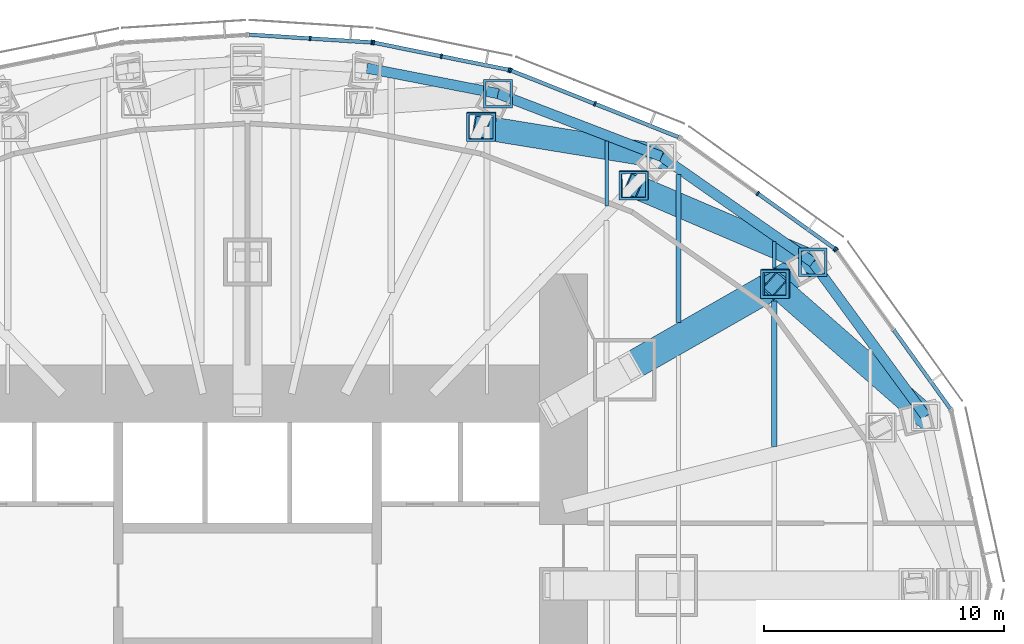
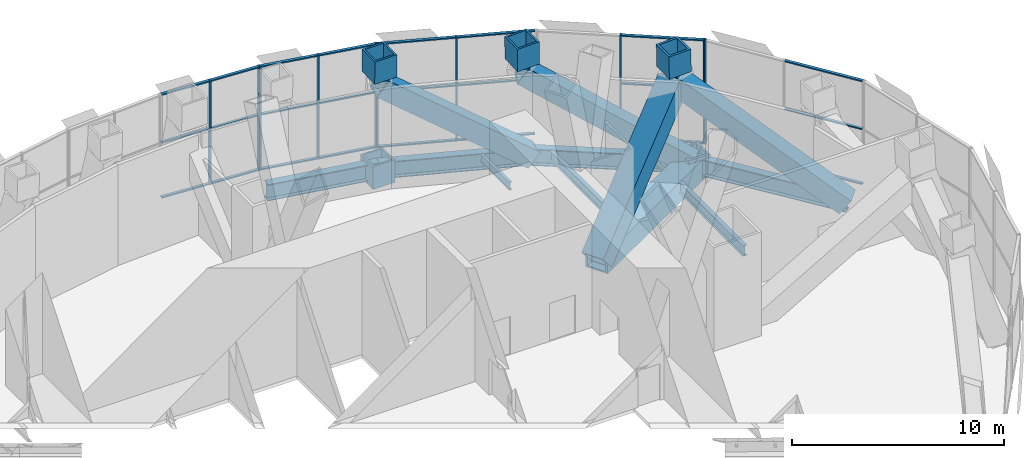
# One storey, part 10 of 21: 43 members, 9 beams, 5 elements without a shape of their own.
"""IFC4 building model written with IfcOpenShell, lengths in metres."""

import ifcopenshell
import ifcopenshell.guid

model = None  # the IFC model being written
_history = None  # IfcOwnerHistory: only IFC2X3 demands one
_inside = {}  # id of a spatial element -> (the spatial element, [elements in it])
_under = {}  # id of a project, library or spatial element -> (it, [spatial elements below it])
_declared = {}  # id of a project -> (the project, [libraries it declares])
_typed = {}  # id of a type object -> (the type object, [elements of that type])
_made_of = {}  # id of a material, layer set ... -> (it, [elements and type objects made of it])


def new_model(schema):
    """Start an empty IFC model of exactly this schema.

    Asked for "IFC4X3", IfcOpenShell would pick the latest addendum, in which some entities
    have other attributes; the version numbers below select the first issue.
    IFC2X3 requires an IfcOwnerHistory on every rooted entity: one is made here for all.
    """
    global model, _history
    if schema == "IFC4X3":
        model = ifcopenshell.file(schema_version=(4, 3, 0, 0))
    else:
        model = ifcopenshell.file(schema=schema)
    _inside.clear()
    _under.clear()
    _declared.clear()
    _typed.clear()
    _made_of.clear()
    _history = None
    if model.schema == "IFC2X3":
        org = make("IfcOrganization", Name="unknown")
        user = make(
            "IfcPersonAndOrganization",
            ThePerson=make("IfcPerson", FamilyName="unknown"),
            TheOrganization=org,
        )
        app = make(
            "IfcApplication",
            ApplicationDeveloper=org,
            Version="unknown",
            ApplicationFullName="unknown",
            ApplicationIdentifier="unknown",
        )
        _history = make(
            "IfcOwnerHistory",
            OwningUser=user,
            OwningApplication=app,
            ChangeAction="ADDED",
            CreationDate=0,
        )
    return model


def make(cls, **values):
    """One entity of the class cls with the attributes given. An attribute that is None is left unset."""
    return model.create_entity(
        cls, **{name: value for name, value in values.items() if value is not None}
    )


def rooted(cls, **values):
    """An entity with a GlobalId (a new one), such as an element, a storey or a relation."""
    return make(cls, GlobalId=ifcopenshell.guid.new(), OwnerHistory=_history, **values)


def si_unit(unit_type, name, prefix=None):
    """IfcSIUnit, for example si_unit("LENGTHUNIT", "METRE", prefix="MILLI")."""
    return make("IfcSIUnit", UnitType=unit_type, Prefix=prefix, Name=name)


def assignment(units):
    """IfcUnitAssignment: the units of a project."""
    return None if units is None else make("IfcUnitAssignment", Units=units)


def point(xyz):
    """IfcCartesianPoint."""
    return None if xyz is None else make("IfcCartesianPoint", Coordinates=xyz)


def direction(xyz):
    """IfcDirection."""
    return None if xyz is None else make("IfcDirection", DirectionRatios=xyz)


def frame(location, z_axis=None, x_axis=None):
    """IfcAxis2Placement3D, a coordinate frame: its origin and axes. An axis left out is left unset."""
    return make(
        "IfcAxis2Placement3D",
        Location=point(location),
        Axis=direction(z_axis),
        RefDirection=direction(x_axis),
    )


def frame_2d(location, x_axis=None):
    """IfcAxis2Placement2D, a coordinate frame in the plane: its origin and x axis."""
    return make(
        "IfcAxis2Placement2D", Location=point(location), RefDirection=direction(x_axis)
    )


def origin():
    """The frame at (0, 0, 0) with its axes left unset."""
    return frame((0.0, 0.0, 0.0))


def origin_2d():
    """The frame at (0, 0) in the plane with its x axis left unset."""
    return frame_2d((0.0, 0.0))


def place(relative_to, where):
    """IfcLocalPlacement: puts the frame where relative to a parent placement (None: the world)."""
    return make(
        "IfcLocalPlacement", PlacementRelTo=relative_to, RelativePlacement=where
    )


def context(
    kind, dimensions, precision=None, world=None, true_north=None, identifier=None
):
    """IfcGeometricRepresentationContext, for example the 3D "Model" context."""
    return make(
        "IfcGeometricRepresentationContext",
        ContextIdentifier=identifier,
        ContextType=kind,
        CoordinateSpaceDimension=dimensions,
        Precision=precision,
        WorldCoordinateSystem=world,
        TrueNorth=true_north,
    )


def subcontext(parent, identifier, kind, view, scale=None):
    """IfcGeometricRepresentationSubContext, for example "Body" below "Model"."""
    return make(
        "IfcGeometricRepresentationSubContext",
        ContextIdentifier=identifier,
        ContextType=kind,
        ParentContext=parent,
        TargetScale=scale,
        TargetView=view,
    )


def project(units=None, contexts=None):
    """IfcProject with its units and contexts."""
    return rooted(
        "IfcProject",
        Name="project",
        RepresentationContexts=contexts,
        UnitsInContext=assignment(units),
    )


def spatial(cls, under=None, at=None, **own):
    """A site, building, storey or space (cls), placed at a placement, below another one or the project."""
    s = rooted(cls, ObjectPlacement=at, **own)
    if under is not None:
        _under.setdefault(under.id(), (under, []))[1].append(s)
    return s


def profile(cls, at=None, kind="AREA", **sizes):
    """A parametric profile (cls). Its sizes go by their IFC names, for example OverallWidth=200.0."""
    return make(cls, ProfileType=kind, Position=at, **sizes)


def rectangle(**sizes):
    """IfcRectangleProfileDef."""
    return profile("IfcRectangleProfileDef", **sizes)


def hollow_rectangle(**sizes):
    """IfcRectangleHollowProfileDef."""
    return profile("IfcRectangleHollowProfileDef", **sizes)


def i_section(**sizes):
    """IfcIShapeProfileDef."""
    return profile("IfcIShapeProfileDef", **sizes)


def extrude(swept, where, along, depth):
    """IfcExtrudedAreaSolid: the profile swept, set in the frame where, extruded along a direction by depth."""
    return make(
        "IfcExtrudedAreaSolid",
        SweptArea=swept,
        Position=where,
        ExtrudedDirection=direction(along),
        Depth=depth,
    )


def shape(context_of_items, identifier, shape_type, items):
    """IfcShapeRepresentation: the items that make up one representation, for example the "Body"."""
    return make(
        "IfcShapeRepresentation",
        ContextOfItems=context_of_items,
        RepresentationIdentifier=identifier,
        RepresentationType=shape_type,
        Items=items,
    )


def material(Name=None, Category=None):
    """IfcMaterial."""
    return make("IfcMaterial", Name=Name, Category=Category)


def material_profile(
    of_material, cross_section, Name=None, Category=None, Priority=None
):
    """IfcMaterialProfile: a cross section and its material."""
    return make(
        "IfcMaterialProfile",
        Name=Name,
        Material=of_material,
        Profile=cross_section,
        Priority=Priority,
        Category=Category,
    )


def profile_set(profiles, Name=None, composite=None):
    """IfcMaterialProfileSet."""
    return make(
        "IfcMaterialProfileSet",
        Name=Name,
        MaterialProfiles=profiles,
        CompositeProfile=composite,
    )


def made_of(thing, what):
    """Note that an element or type object is made of a material, layer set ...; save() writes the relation."""
    if what is not None:
        _made_of.setdefault(what.id(), (what, []))[1].append(thing)
    return thing


def type_object(cls, material=None, **own):
    """A type object (cls), such as IfcWallType, which elements share."""
    return made_of(rooted(cls, **own), material)


def element(
    cls,
    number,
    at=None,
    inside=None,
    cuts=None,
    type_object=None,
    material=None,
    context=None,
    identifier="Body",
    shape_type=None,
    held_by="IfcProductDefinitionShape",
    body=None,
    shapes=None,
    **own,
):
    """One element of the class cls, such as IfcWall. Its Tag is "e" and its number.

    at: its placement. inside: the storey or other place that contains it. cuts: it is an
    opening in that element (IfcRelVoidsElement). A single representation is given by context,
    identifier, shape_type and body (its items); several are given by shapes. held_by: the class
    of the entity that holds the representations. save() writes the other relations.
    """
    e = rooted(cls, Tag="e%d" % number, ObjectPlacement=at, **own)
    if body is not None:
        shapes = [shape(context, identifier, shape_type, body)]
    if shapes is not None:
        e.Representation = make(held_by, Representations=shapes)
    if inside is not None:
        _inside.setdefault(inside.id(), (inside, []))[1].append(e)
    if cuts is not None:
        rooted(
            "IfcRelVoidsElement", RelatingBuildingElement=cuts, RelatedOpeningElement=e
        )
    if type_object is not None:
        _typed.setdefault(type_object.id(), (type_object, []))[1].append(e)
    return made_of(e, material)


def aggregate(whole, parts):
    """IfcRelAggregates: a whole, such as a stair, and the parts it consists of."""
    return rooted("IfcRelAggregates", RelatingObject=whole, RelatedObjects=parts)


def save(model, path):
    """Write the relations noted so far, then the file.

    IfcRelAggregates (storeys below a building ...), IfcRelContainedInSpatialStructure (elements
    in a storey), IfcRelDefinesByType, IfcRelAssociatesMaterial and IfcRelDeclares: one each for
    every whole, place, type object, material and project.
    """
    for whole, parts in _under.values():
        aggregate(whole, parts)
    for where, things in _inside.values():
        rooted(
            "IfcRelContainedInSpatialStructure",
            RelatedElements=things,
            RelatingStructure=where,
        )
    for kind, things in _typed.values():
        rooted("IfcRelDefinesByType", RelatedObjects=things, RelatingType=kind)
    for what, things in _made_of.values():
        rooted("IfcRelAssociatesMaterial", RelatedObjects=things, RelatingMaterial=what)
    for by, libraries in _declared.values():
        rooted("IfcRelDeclares", RelatingContext=by, RelatedDefinitions=libraries)
    model.write(path)


model = new_model("IFC4")

# Units and contexts
model_context = context("Model", 3, precision=1e-05, world=origin(), true_north=direction((0.0, 1.0)))
body_context = subcontext(model_context, "Body", "Model", "MODEL_VIEW")
ifc_project = project(units=[si_unit("LENGTHUNIT", "METRE"), si_unit("AREAUNIT", "SQUARE_METRE"), si_unit("VOLUMEUNIT", "CUBIC_METRE"), si_unit("PLANEANGLEUNIT", "RADIAN"), si_unit("MASSUNIT", "GRAM", prefix="KILO")], contexts=[model_context])

# Site, building, storey
site_placement = place(None, origin())
site = spatial("IfcSite", under=ifc_project, at=site_placement, CompositionType="ELEMENT")
building_placement = place(site_placement, origin())
building = spatial("IfcBuilding", under=site, at=building_placement, Name="Lantaw Convention Tower", CompositionType="ELEMENT")
storey_placement = place(building_placement, frame((0.0, 0.0, 105.39990234375)))
storey = spatial("IfcBuildingStorey", under=building, at=storey_placement, Name="L25", CompositionType="ELEMENT", Elevation=105.39990234375)

# Beams
ifc_material_1 = material(Name="Steel ASTM A992", Category="steel")
ifc_material_profile_1 = material_profile(ifc_material_1, i_section(OverallWidth=0.424072265625, OverallDepth=0.947509765625, WebThickness=0.02392578125, FlangeThickness=0.042724609375, FilletRadius=0.012451171875, at=origin_2d()), Name="W36X302")
ifc_profile_set_1 = profile_set([ifc_material_profile_1], Name="Steel ASTM A992")
beam_type_1 = type_object("IfcBeamType", Name="Beam BC W36X302", PredefinedType="SPANDREL", material=ifc_profile_set_1)
beam_1_placement = place(storey_placement, frame((28.31787109375, 7.060302734375, -0.673583984375), z_axis=(-0.591270709086, 0.806473154281, 0.0), x_axis=(-0.806473154281, -0.591270709086, 0.0)))
element("IfcBeam", 1, at=beam_1_placement, inside=storey, type_object=beam_type_1, Name="Belt truss chord 2", PredefinedType="SPANDREL", context=body_context, shape_type="SweptSolid", body=[
    extrude(i_section(OverallWidth=0.424072265625, OverallDepth=0.947509765625, WebThickness=0.02392578125, FlangeThickness=0.042724609375, FilletRadius=0.012451171875, at=origin_2d()), origin(), (0.0, 0.0, 1.0), 7.970703125),
])
beam_2_placement = place(storey_placement, frame((23.60498046875, 13.488525390625, -0.673583984375), z_axis=(-0.81942686407, 0.57318375277, 0.0), x_axis=(-0.57318375277, -0.81942686407, 0.0)))
element("IfcBeam", 2, at=beam_2_placement, inside=storey, type_object=beam_type_1, Name="Belt truss chord 3", PredefinedType="SPANDREL", context=body_context, shape_type="SweptSolid", body=[
    extrude(i_section(OverallWidth=0.424072265625, OverallDepth=0.947509765625, WebThickness=0.02392578125, FlangeThickness=0.042724609375, FilletRadius=0.012451171875, at=origin_2d()), origin(), (0.0, 0.0, 1.0), 7.70556640625),
])
beam_3_placement = place(storey_placement, frame((17.290771484375, 17.9052734375, -0.673583984375), z_axis=(-0.933232900641, 0.359271976588, 0.0), x_axis=(-0.359271976588, -0.933232900641, 0.0)))
element("IfcBeam", 3, at=beam_3_placement, inside=storey, type_object=beam_type_1, Name="Belt truss chord 4", PredefinedType="SPANDREL", context=body_context, shape_type="SweptSolid", body=[
    extrude(i_section(OverallWidth=0.424072265625, OverallDepth=0.947509765625, WebThickness=0.02392578125, FlangeThickness=0.042724609375, FilletRadius=0.012451171875, at=origin_2d()), origin(), (0.0, 0.0, 1.0), 7.316650390625),
])
beam_4_placement = place(storey_placement, frame((10.462646484375, 20.533935546875, -0.673583984375), z_axis=(-0.981636565323, 0.190760723474, 0.0), x_axis=(-0.190760723474, -0.981636565323, 0.0)))
element("IfcBeam", 4, at=beam_4_placement, inside=storey, type_object=beam_type_1, Name="Belt truss chord 5", PredefinedType="SPANDREL", context=body_context, shape_type="SweptSolid", body=[
    extrude(i_section(OverallWidth=0.424072265625, OverallDepth=0.947509765625, WebThickness=0.02392578125, FlangeThickness=0.042724609375, FilletRadius=0.012451171875, at=origin_2d()), origin(), (0.0, 0.0, 1.0), 5.578857421875),
])
ifc_material_2 = material(Name="Steel EN 10025-3 S460N", Category="steel")
ifc_material_profile_2 = material_profile(ifc_material_2, hollow_rectangle(XDim=1.199951171875, YDim=1.199951171875, WallThickness=0.10009765625, at=origin_2d()), Name="BOX1200X100")
ifc_profile_set_2 = profile_set([ifc_material_profile_2], Name="Steel EN 10025-3 S460N")
beam_type_2 = type_object("IfcBeamType", Name="Beam G BOX1200X100", PredefinedType="BEAM", material=ifc_profile_set_2)
beam_5_placement = place(storey_placement, frame((15.75, 9.0, -0.7998046875), z_axis=(0.868244802791, 0.496136032179, 0.0), x_axis=(-0.496136032179, 0.868244802791, 0.0)))
element("IfcBeam", 5, at=beam_5_placement, inside=storey, type_object=beam_type_2, Name="Floor girder on ray 3", PredefinedType="BEAM", context=body_context, shape_type="SweptSolid", body=[
    extrude(hollow_rectangle(XDim=1.199951171875, YDim=1.199951171875, WallThickness=0.10009765625, at=origin_2d()), origin(), (0.0, 0.0, 1.0), 9.046875),
])
ifc_material_profile_3 = material_profile(ifc_material_1, i_section(OverallWidth=0.140380859375, OverallDepth=0.40380859375, WebThickness=0.007080078125, FlangeThickness=0.01123046875, FilletRadius=0.01025390625, at=origin_2d()), Name="W16X31")
ifc_profile_set_3 = profile_set([ifc_material_profile_3], Name="Steel ASTM A992")
beam_type_3 = type_object("IfcBeamType", Name="Beam J W16X31", PredefinedType="JOIST", material=ifc_profile_set_3)
beam_6_placement = place(storey_placement, frame((22.0, 13.262451171875, -0.40185546875), z_axis=(0.0, 1.0, 0.0), x_axis=(-1.0, 0.0, 0.0)))
element("IfcBeam", 6, at=beam_6_placement, inside=storey, type_object=beam_type_3, Name="Floor joist", PredefinedType="JOIST", context=body_context, shape_type="SweptSolid", body=[
    extrude(i_section(OverallWidth=0.140380859375, OverallDepth=0.40380859375, WebThickness=0.007080078125, FlangeThickness=0.01123046875, FilletRadius=0.01025390625, at=origin_2d()), origin(), (0.0, 0.0, 1.0), 1.08984375),
])
ifc_material_profile_4 = material_profile(ifc_material_1, i_section(OverallWidth=0.15234375, OverallDepth=0.449462890625, WebThickness=0.007568359375, FlangeThickness=0.0107421875, FilletRadius=0.01025390625, at=origin_2d()), Name="W18X35")
ifc_profile_set_4 = profile_set([ifc_material_profile_4], Name="Steel ASTM A992")
beam_type_4 = type_object("IfcBeamType", Name="Beam J W18X35", PredefinedType="JOIST", material=ifc_profile_set_4)
beam_7_placement = place(storey_placement, frame((15.0, 15.83642578125, -0.4248046875), z_axis=(0.0, 1.0, 0.0), x_axis=(-1.0, 0.0, 0.0)))
element("IfcBeam", 7, at=beam_7_placement, inside=storey, type_object=beam_type_4, Name="Floor joist", PredefinedType="JOIST", context=body_context, shape_type="SweptSolid", body=[
    extrude(i_section(OverallWidth=0.15234375, OverallDepth=0.449462890625, WebThickness=0.007568359375, FlangeThickness=0.0107421875, FilletRadius=0.01025390625, at=origin_2d()), origin(), (0.0, 0.0, 1.0), 2.723388671875),
])
ifc_material_profile_5 = material_profile(ifc_material_1, i_section(OverallWidth=0.209228515625, OverallDepth=0.533447265625, WebThickness=0.01025390625, FlangeThickness=0.015625, FilletRadius=0.012939453125, at=origin_2d()), Name="W21X62")
ifc_profile_set_5 = profile_set([ifc_material_profile_5], Name="Steel ASTM A992")
beam_type_5 = type_object("IfcBeamType", Name="Beam J W21X62", PredefinedType="JOIST", material=ifc_profile_set_5)
beam_8_placement = place(storey_placement, frame((18.0, 10.976806640625, -0.466552734375), z_axis=(0.0, 1.0, 0.0), x_axis=(-1.0, 0.0, 0.0)))
element("IfcBeam", 8, at=beam_8_placement, inside=storey, type_object=beam_type_5, Name="Floor joist", PredefinedType="JOIST", context=body_context, shape_type="SweptSolid", body=[
    extrude(i_section(OverallWidth=0.209228515625, OverallDepth=0.533447265625, WebThickness=0.01025390625, FlangeThickness=0.015625, FilletRadius=0.012939453125, at=origin_2d()), origin(), (0.0, 0.0, 1.0), 6.173583984375),
])
ifc_material_profile_6 = material_profile(ifc_material_1, i_section(OverallWidth=0.227783203125, OverallDepth=0.60205078125, WebThickness=0.010498046875, FlangeThickness=0.014892578125, FilletRadius=0.012939453125, at=origin_2d()), Name="W24X68")
ifc_profile_set_6 = profile_set([ifc_material_profile_6], Name="Steel ASTM A992")
beam_type_6 = type_object("IfcBeamType", Name="Beam J W24X68", PredefinedType="JOIST", material=ifc_profile_set_6)
beam_9_placement = place(storey_placement, frame((22.0, 5.79443359375, -0.5009765625), z_axis=(0.0, 1.0, 0.0), x_axis=(-1.0, 0.0, 0.0)))
element("IfcBeam", 9, at=beam_9_placement, inside=storey, type_object=beam_type_6, Name="Floor joist", PredefinedType="JOIST", context=body_context, shape_type="SweptSolid", body=[
    extrude(i_section(OverallWidth=0.227783203125, OverallDepth=0.60205078125, WebThickness=0.010498046875, FlangeThickness=0.014892578125, FilletRadius=0.012939453125, at=origin_2d()), origin(), (0.0, 0.0, 1.0), 6.0859375),
])

# Curtain wall, member
ifc_material_3 = material(Name="Aluminium framed curtain wall", Category="aluminium")
curtain_wall_type = type_object("IfcCurtainWallType", Name="Plant floor louvre wall, pale aluminium", PredefinedType="USERDEFINED", material=ifc_material_3)
curtain_wall_1_placement = place(storey_placement, origin())
curtain_wall_1 = element("IfcCurtainWall", 10, at=curtain_wall_1_placement, inside=storey, type_object=curtain_wall_type, Name="Plant floor louvre wall, pale aluminium L25", ObjectType="LOUVRE WALL", PredefinedType="USERDEFINED")
ifc_material_4 = material(Name="Aluminium 6063-T6", Category="aluminium")
ifc_material_profile_7 = material_profile(ifc_material_4, rectangle(XDim=0.199951171875, YDim=0.070068359375, at=origin_2d()), Name="CW-LV mullion 70x200")
ifc_profile_set_7 = profile_set([ifc_material_profile_7], Name="Aluminium 6063-T6")
member_type_1 = type_object("IfcMemberType", Name="CW-LV mullion 70x200", PredefinedType="MULLION", material=ifc_profile_set_7)
member_1_placement = place(storey_placement, frame((24.580322265625, 14.005859375, -0.199951171875), z_axis=(0.0, 0.0, 1.0), x_axis=(-0.811788726895, -0.583951250436, 0.0)))
member_1 = element("IfcMember", 11, at=member_1_placement, type_object=member_type_1, Name="CW-LV mullion 3", PredefinedType="MULLION", context=body_context, shape_type="SweptSolid", body=[
    extrude(rectangle(XDim=0.199951171875, YDim=0.070068359375, at=origin_2d()), origin(), (0.0, 0.0, 1.0), 6.0),
])

# Curtain wall, members
curtain_wall_2_placement = place(storey_placement, origin())
curtain_wall_2 = element("IfcCurtainWall", 12, at=curtain_wall_2_placement, inside=storey, type_object=curtain_wall_type, Name="Plant floor louvre wall, pale aluminium L25", ObjectType="LOUVRE WALL", PredefinedType="USERDEFINED")
member_2_placement = place(storey_placement, frame((24.531494140625, 14.0546875, -0.199951171875), z_axis=(0.0, 0.0, 1.0), x_axis=(-0.5825376308, -0.812803733199, 0.0)))
member_2 = element("IfcMember", 13, at=member_2_placement, type_object=member_type_1, Name="CW-LV mullion 1", PredefinedType="MULLION", context=body_context, shape_type="SweptSolid", body=[
    extrude(rectangle(XDim=0.199951171875, YDim=0.070068359375, at=origin_2d()), origin(), (0.0, 0.0, 1.0), 6.0),
])
member_3_placement = place(storey_placement, frame((21.307373046875, 16.365478515625, -0.199951171875), z_axis=(0.0, 0.0, 1.0), x_axis=(-0.5825376308, -0.812803733199, 0.0)))
member_3 = element("IfcMember", 14, at=member_3_placement, type_object=member_type_1, Name="CW-LV mullion 2", PredefinedType="MULLION", context=body_context, shape_type="SweptSolid", body=[
    extrude(rectangle(XDim=0.199951171875, YDim=0.070068359375, at=origin_2d()), origin(), (0.0, 0.0, 1.0), 6.0),
])

curtain_wall_3_placement = place(storey_placement, origin())
curtain_wall_3 = element("IfcCurtainWall", 15, at=curtain_wall_3_placement, inside=storey, type_object=curtain_wall_type, Name="Plant floor louvre wall, pale aluminium L25", ObjectType="LOUVRE WALL", PredefinedType="USERDEFINED")
member_4_placement = place(storey_placement, frame((14.508544921875, 20.105224609375, -0.199951171875), z_axis=(0.0, 0.0, 1.0), x_axis=(-0.369171840425, -0.929361152748, 0.0)))
member_4 = element("IfcMember", 16, at=member_4_placement, type_object=member_type_1, Name="CW-LV mullion 2", PredefinedType="MULLION", context=body_context, shape_type="SweptSolid", body=[
    extrude(rectangle(XDim=0.199951171875, YDim=0.070068359375, at=origin_2d()), origin(), (0.0, 0.0, 1.0), 6.0),
])
member_5_placement = place(storey_placement, frame((10.994384765625, 21.501220703125, -0.199951171875), z_axis=(0.0, 0.0, 1.0), x_axis=(-0.369171840425, -0.929361152748, 0.0)))
member_5 = element("IfcMember", 17, at=member_5_placement, type_object=member_type_1, Name="CW-LV mullion 3", PredefinedType="MULLION", context=body_context, shape_type="SweptSolid", body=[
    extrude(rectangle(XDim=0.199951171875, YDim=0.070068359375, at=origin_2d()), origin(), (0.0, 0.0, 1.0), 6.0),
])

curtain_wall_4_placement = place(storey_placement, origin())
curtain_wall_4 = element("IfcCurtainWall", 18, at=curtain_wall_4_placement, inside=storey, type_object=curtain_wall_type, Name="Plant floor louvre wall, pale aluminium L25", ObjectType="LOUVRE WALL", PredefinedType="USERDEFINED")
member_6_placement = place(storey_placement, frame((10.927734375, 21.52099609375, -0.199951171875), z_axis=(0.0, 0.0, 1.0), x_axis=(-0.197789067813, -0.980244604501, 0.0)))
member_6 = element("IfcMember", 19, at=member_6_placement, type_object=member_type_1, Name="CW-LV mullion 1", PredefinedType="MULLION", context=body_context, shape_type="SweptSolid", body=[
    extrude(rectangle(XDim=0.199951171875, YDim=0.070068359375, at=origin_2d()), origin(), (0.0, 0.0, 1.0), 6.0),
])
member_7_placement = place(storey_placement, frame((8.097900390625, 22.092041015625, -0.199951171875), z_axis=(0.0, 0.0, 1.0), x_axis=(-0.197789067813, -0.980244604501, 0.0)))
member_7 = element("IfcMember", 20, at=member_7_placement, type_object=member_type_1, Name="CW-LV mullion 2", PredefinedType="MULLION", context=body_context, shape_type="SweptSolid", body=[
    extrude(rectangle(XDim=0.199951171875, YDim=0.070068359375, at=origin_2d()), origin(), (0.0, 0.0, 1.0), 6.0),
])
member_8_placement = place(storey_placement, frame((5.26806640625, 22.662841796875, -0.199951171875), z_axis=(0.0, 0.0, 1.0), x_axis=(-0.197789067813, -0.980244604501, 0.0)))
member_8 = element("IfcMember", 21, at=member_8_placement, type_object=member_type_1, Name="CW-LV mullion 3", PredefinedType="MULLION", context=body_context, shape_type="SweptSolid", body=[
    extrude(rectangle(XDim=0.199951171875, YDim=0.070068359375, at=origin_2d()), origin(), (0.0, 0.0, 1.0), 6.0),
])

curtain_wall_5_placement = place(storey_placement, origin())
curtain_wall_5 = element("IfcCurtainWall", 22, at=curtain_wall_5_placement, inside=storey, type_object=curtain_wall_type, Name="Plant floor louvre wall, pale aluminium L25", ObjectType="LOUVRE WALL", PredefinedType="USERDEFINED")
member_9_placement = place(storey_placement, frame((5.19873046875, 22.672119140625, -0.199951171875), z_axis=(0.0, 0.0, 1.0), x_axis=(-0.062958373078, -0.998016153807, 0.0)))
member_9 = element("IfcMember", 23, at=member_9_placement, type_object=member_type_1, Name="CW-LV mullion 1", PredefinedType="MULLION", context=body_context, shape_type="SweptSolid", body=[
    extrude(rectangle(XDim=0.199951171875, YDim=0.070068359375, at=origin_2d()), origin(), (0.0, 0.0, 1.0), 6.0),
])
member_10_placement = place(storey_placement, frame((2.616943359375, 22.8349609375, -0.199951171875), z_axis=(0.0, 0.0, 1.0), x_axis=(-0.062958373078, -0.998016153807, 0.0)))
member_10 = element("IfcMember", 24, at=member_10_placement, type_object=member_type_1, Name="CW-LV mullion 2", PredefinedType="MULLION", context=body_context, shape_type="SweptSolid", body=[
    extrude(rectangle(XDim=0.199951171875, YDim=0.070068359375, at=origin_2d()), origin(), (0.0, 0.0, 1.0), 6.0),
])

# Member
ifc_material_profile_8 = material_profile(ifc_material_4, rectangle(XDim=0.159912109375, YDim=0.070068359375, at=origin_2d()), Name="CW-LV transom 70x160")
ifc_profile_set_8 = profile_set([ifc_material_profile_8], Name="Aluminium 6063-T6")
member_type_2 = type_object("IfcMemberType", Name="CW-LV transom 70x160", PredefinedType="USERDEFINED", material=ifc_profile_set_8)
member_11_placement = place(storey_placement, frame((29.34423828125, 7.38330078125, -0.164794921875), z_axis=(-0.583942092364, 0.811795314574, 0.0), x_axis=(-0.811795314574, -0.583942092364, 0.0)))
member_11 = element("IfcMember", 25, at=member_11_placement, type_object=member_type_2, Name="CW-LV transom 1.1", ObjectType="TRANSOM", PredefinedType="USERDEFINED", context=body_context, shape_type="SweptSolid", body=[
    extrude(rectangle(XDim=0.159912109375, YDim=0.070068359375, at=origin_2d()), origin(), (0.0, 0.0, 1.0), 4.026611328125),
])

member_12_placement = place(storey_placement, frame((29.34423828125, 7.38330078125, 3.0), z_axis=(-0.583942092364, 0.811795314574, 0.0), x_axis=(-0.811795314574, -0.583942092364, 0.0)))
member_12 = element("IfcMember", 26, at=member_12_placement, type_object=member_type_2, Name="CW-LV transom 1.2", ObjectType="TRANSOM", PredefinedType="USERDEFINED", context=body_context, shape_type="SweptSolid", body=[
    extrude(rectangle(XDim=0.159912109375, YDim=0.070068359375, at=origin_2d()), origin(), (0.0, 0.0, 1.0), 4.026611328125),
])

member_13_placement = place(storey_placement, frame((29.34423828125, 7.38330078125, 5.76513671875), z_axis=(-0.583942092364, 0.811795314574, 0.0), x_axis=(-0.811795314574, -0.583942092364, 0.0)))
member_13 = element("IfcMember", 27, at=member_13_placement, type_object=member_type_2, Name="CW-LV transom 1.3", ObjectType="TRANSOM", PredefinedType="USERDEFINED", context=body_context, shape_type="SweptSolid", body=[
    extrude(rectangle(XDim=0.159912109375, YDim=0.070068359375, at=origin_2d()), origin(), (0.0, 0.0, 1.0), 4.026611328125),
])

aggregate(curtain_wall_1, [member_1, member_11, member_12, member_13])

member_14_placement = place(storey_placement, frame((24.503173828125, 14.074951171875, -0.164794921875), z_axis=(-0.812796855992, 0.582547226317, 0.0), x_axis=(-0.582547226317, -0.812796855992, 0.0)))
member_14 = element("IfcMember", 28, at=member_14_placement, type_object=member_type_2, Name="CW-LV transom 1.1", ObjectType="TRANSOM", PredefinedType="USERDEFINED", context=body_context, shape_type="SweptSolid", body=[
    extrude(rectangle(XDim=0.159912109375, YDim=0.070068359375, at=origin_2d()), origin(), (0.0, 0.0, 1.0), 3.896728515625),
])

member_15_placement = place(storey_placement, frame((24.503173828125, 14.074951171875, 3.0), z_axis=(-0.812796855992, 0.582547226317, 0.0), x_axis=(-0.582547226317, -0.812796855992, 0.0)))
member_15 = element("IfcMember", 29, at=member_15_placement, type_object=member_type_2, Name="CW-LV transom 1.2", ObjectType="TRANSOM", PredefinedType="USERDEFINED", context=body_context, shape_type="SweptSolid", body=[
    extrude(rectangle(XDim=0.159912109375, YDim=0.070068359375, at=origin_2d()), origin(), (0.0, 0.0, 1.0), 3.896728515625),
])

member_16_placement = place(storey_placement, frame((24.503173828125, 14.074951171875, 5.76513671875), z_axis=(-0.812796855992, 0.582547226317, 0.0), x_axis=(-0.582547226317, -0.812796855992, 0.0)))
member_16 = element("IfcMember", 30, at=member_16_placement, type_object=member_type_2, Name="CW-LV transom 1.3", ObjectType="TRANSOM", PredefinedType="USERDEFINED", context=body_context, shape_type="SweptSolid", body=[
    extrude(rectangle(XDim=0.159912109375, YDim=0.070068359375, at=origin_2d()), origin(), (0.0, 0.0, 1.0), 3.896728515625),
])

aggregate(curtain_wall_2, [member_2, member_3, member_14, member_15, member_16])

member_17_placement = place(storey_placement, frame((17.989990234375, 18.722412109375, -0.164794921875), z_axis=(-0.929376820828, 0.369132394823, 0.0), x_axis=(-0.369132394823, -0.929376820828, 0.0)))
member_17 = element("IfcMember", 31, at=member_17_placement, type_object=member_type_2, Name="CW-LV transom 1.1", ObjectType="TRANSOM", PredefinedType="USERDEFINED", context=body_context, shape_type="SweptSolid", body=[
    extrude(rectangle(XDim=0.159912109375, YDim=0.070068359375, at=origin_2d()), origin(), (0.0, 0.0, 1.0), 3.711181640625),
])

member_18_placement = place(storey_placement, frame((17.989990234375, 18.722412109375, 3.0), z_axis=(-0.929376820828, 0.369132394823, 0.0), x_axis=(-0.369132394823, -0.929376820828, 0.0)))
member_18 = element("IfcMember", 32, at=member_18_placement, type_object=member_type_2, Name="CW-LV transom 1.2", ObjectType="TRANSOM", PredefinedType="USERDEFINED", context=body_context, shape_type="SweptSolid", body=[
    extrude(rectangle(XDim=0.159912109375, YDim=0.070068359375, at=origin_2d()), origin(), (0.0, 0.0, 1.0), 3.711181640625),
])

member_19_placement = place(storey_placement, frame((17.989990234375, 18.722412109375, 5.76513671875), z_axis=(-0.929376820828, 0.369132394823, 0.0), x_axis=(-0.369132394823, -0.929376820828, 0.0)))
member_19 = element("IfcMember", 33, at=member_19_placement, type_object=member_type_2, Name="CW-LV transom 1.3", ObjectType="TRANSOM", PredefinedType="USERDEFINED", context=body_context, shape_type="SweptSolid", body=[
    extrude(rectangle(XDim=0.159912109375, YDim=0.070068359375, at=origin_2d()), origin(), (0.0, 0.0, 1.0), 3.711181640625),
])

member_20_placement = place(storey_placement, frame((14.475830078125, 20.1181640625, -0.164794921875), z_axis=(-0.929345282999, 0.369211788772, 0.0), x_axis=(-0.369211788772, -0.929345282999, 0.0)))
member_20 = element("IfcMember", 34, at=member_20_placement, type_object=member_type_2, Name="CW-LV transom 2.1", ObjectType="TRANSOM", PredefinedType="USERDEFINED", context=body_context, shape_type="SweptSolid", body=[
    extrude(rectangle(XDim=0.159912109375, YDim=0.070068359375, at=origin_2d()), origin(), (0.0, 0.0, 1.0), 3.7109375),
])

member_21_placement = place(storey_placement, frame((14.475830078125, 20.1181640625, 3.0), z_axis=(-0.929345282999, 0.369211788772, 0.0), x_axis=(-0.369211788772, -0.929345282999, 0.0)))
member_21 = element("IfcMember", 35, at=member_21_placement, type_object=member_type_2, Name="CW-LV transom 2.2", ObjectType="TRANSOM", PredefinedType="USERDEFINED", context=body_context, shape_type="SweptSolid", body=[
    extrude(rectangle(XDim=0.159912109375, YDim=0.070068359375, at=origin_2d()), origin(), (0.0, 0.0, 1.0), 3.7109375),
])

member_22_placement = place(storey_placement, frame((14.475830078125, 20.1181640625, 5.76513671875), z_axis=(-0.929345282999, 0.369211788772, 0.0), x_axis=(-0.369211788772, -0.929345282999, 0.0)))
member_22 = element("IfcMember", 36, at=member_22_placement, type_object=member_type_2, Name="CW-LV transom 2.3", ObjectType="TRANSOM", PredefinedType="USERDEFINED", context=body_context, shape_type="SweptSolid", body=[
    extrude(rectangle(XDim=0.159912109375, YDim=0.070068359375, at=origin_2d()), origin(), (0.0, 0.0, 1.0), 3.7109375),
])

aggregate(curtain_wall_3, [member_4, member_5, member_17, member_18, member_19, member_20, member_21, member_22])

member_23_placement = place(storey_placement, frame((10.893310546875, 21.52783203125, -0.164794921875), z_axis=(-0.980245910217, 0.197782596562, 0.0), x_axis=(-0.197782596562, -0.980245910217, 0.0)))
member_23 = element("IfcMember", 37, at=member_23_placement, type_object=member_type_2, Name="CW-LV transom 1.1", ObjectType="TRANSOM", PredefinedType="USERDEFINED", context=body_context, shape_type="SweptSolid", body=[
    extrude(rectangle(XDim=0.159912109375, YDim=0.070068359375, at=origin_2d()), origin(), (0.0, 0.0, 1.0), 2.81689453125),
])

member_24_placement = place(storey_placement, frame((10.893310546875, 21.52783203125, 3.0), z_axis=(-0.980245910217, 0.197782596562, 0.0), x_axis=(-0.197782596562, -0.980245910217, 0.0)))
member_24 = element("IfcMember", 38, at=member_24_placement, type_object=member_type_2, Name="CW-LV transom 1.2", ObjectType="TRANSOM", PredefinedType="USERDEFINED", context=body_context, shape_type="SweptSolid", body=[
    extrude(rectangle(XDim=0.159912109375, YDim=0.070068359375, at=origin_2d()), origin(), (0.0, 0.0, 1.0), 2.81689453125),
])

member_25_placement = place(storey_placement, frame((10.893310546875, 21.52783203125, 5.76513671875), z_axis=(-0.980245910217, 0.197782596562, 0.0), x_axis=(-0.197782596562, -0.980245910217, 0.0)))
member_25 = element("IfcMember", 39, at=member_25_placement, type_object=member_type_2, Name="CW-LV transom 1.3", ObjectType="TRANSOM", PredefinedType="USERDEFINED", context=body_context, shape_type="SweptSolid", body=[
    extrude(rectangle(XDim=0.159912109375, YDim=0.070068359375, at=origin_2d()), origin(), (0.0, 0.0, 1.0), 2.81689453125),
])

member_26_placement = place(storey_placement, frame((8.0634765625, 22.098876953125, -0.164794921875), z_axis=(-0.980245910217, 0.197782596562, 0.0), x_axis=(-0.197782596562, -0.980245910217, 0.0)))
member_26 = element("IfcMember", 40, at=member_26_placement, type_object=member_type_2, Name="CW-LV transom 2.1", ObjectType="TRANSOM", PredefinedType="USERDEFINED", context=body_context, shape_type="SweptSolid", body=[
    extrude(rectangle(XDim=0.159912109375, YDim=0.070068359375, at=origin_2d()), origin(), (0.0, 0.0, 1.0), 2.81689453125),
])

member_27_placement = place(storey_placement, frame((8.0634765625, 22.098876953125, 3.0), z_axis=(-0.980245910217, 0.197782596562, 0.0), x_axis=(-0.197782596562, -0.980245910217, 0.0)))
member_27 = element("IfcMember", 41, at=member_27_placement, type_object=member_type_2, Name="CW-LV transom 2.2", ObjectType="TRANSOM", PredefinedType="USERDEFINED", context=body_context, shape_type="SweptSolid", body=[
    extrude(rectangle(XDim=0.159912109375, YDim=0.070068359375, at=origin_2d()), origin(), (0.0, 0.0, 1.0), 2.81689453125),
])

member_28_placement = place(storey_placement, frame((8.0634765625, 22.098876953125, 5.76513671875), z_axis=(-0.980245910217, 0.197782596562, 0.0), x_axis=(-0.197782596562, -0.980245910217, 0.0)))
member_28 = element("IfcMember", 42, at=member_28_placement, type_object=member_type_2, Name="CW-LV transom 2.3", ObjectType="TRANSOM", PredefinedType="USERDEFINED", context=body_context, shape_type="SweptSolid", body=[
    extrude(rectangle(XDim=0.159912109375, YDim=0.070068359375, at=origin_2d()), origin(), (0.0, 0.0, 1.0), 2.81689453125),
])

aggregate(curtain_wall_4, [member_6, member_7, member_8, member_23, member_24, member_25, member_26, member_27, member_28])

member_29_placement = place(storey_placement, frame((5.163818359375, 22.67431640625, -0.164794921875), z_axis=(-0.998016558163, 0.062951962897, 0.0), x_axis=(-0.062951962897, -0.998016558163, 0.0)))
member_29 = element("IfcMember", 43, at=member_29_placement, type_object=member_type_2, Name="CW-LV transom 1.1", ObjectType="TRANSOM", PredefinedType="USERDEFINED", context=body_context, shape_type="SweptSolid", body=[
    extrude(rectangle(XDim=0.159912109375, YDim=0.070068359375, at=origin_2d()), origin(), (0.0, 0.0, 1.0), 2.516845703125),
])

member_30_placement = place(storey_placement, frame((5.163818359375, 22.67431640625, 3.0), z_axis=(-0.998016558163, 0.062951962897, 0.0), x_axis=(-0.062951962897, -0.998016558163, 0.0)))
member_30 = element("IfcMember", 44, at=member_30_placement, type_object=member_type_2, Name="CW-LV transom 1.2", ObjectType="TRANSOM", PredefinedType="USERDEFINED", context=body_context, shape_type="SweptSolid", body=[
    extrude(rectangle(XDim=0.159912109375, YDim=0.070068359375, at=origin_2d()), origin(), (0.0, 0.0, 1.0), 2.516845703125),
])

member_31_placement = place(storey_placement, frame((5.163818359375, 22.67431640625, 5.76513671875), z_axis=(-0.998016558163, 0.062951962897, 0.0), x_axis=(-0.062951962897, -0.998016558163, 0.0)))
member_31 = element("IfcMember", 45, at=member_31_placement, type_object=member_type_2, Name="CW-LV transom 1.3", ObjectType="TRANSOM", PredefinedType="USERDEFINED", context=body_context, shape_type="SweptSolid", body=[
    extrude(rectangle(XDim=0.159912109375, YDim=0.070068359375, at=origin_2d()), origin(), (0.0, 0.0, 1.0), 2.516845703125),
])

member_32_placement = place(storey_placement, frame((2.58203125, 22.837158203125, -0.164794921875), z_axis=(-0.998016942507, 0.062945869357, 0.0), x_axis=(-0.062945869357, -0.998016942507, 0.0)))
member_32 = element("IfcMember", 46, at=member_32_placement, type_object=member_type_2, Name="CW-LV transom 2.1", ObjectType="TRANSOM", PredefinedType="USERDEFINED", context=body_context, shape_type="SweptSolid", body=[
    extrude(rectangle(XDim=0.159912109375, YDim=0.070068359375, at=origin_2d()), origin(), (0.0, 0.0, 1.0), 2.51708984375),
])

member_33_placement = place(storey_placement, frame((2.58203125, 22.837158203125, 3.0), z_axis=(-0.998016942507, 0.062945869357, 0.0), x_axis=(-0.062945869357, -0.998016942507, 0.0)))
member_33 = element("IfcMember", 47, at=member_33_placement, type_object=member_type_2, Name="CW-LV transom 2.2", ObjectType="TRANSOM", PredefinedType="USERDEFINED", context=body_context, shape_type="SweptSolid", body=[
    extrude(rectangle(XDim=0.159912109375, YDim=0.070068359375, at=origin_2d()), origin(), (0.0, 0.0, 1.0), 2.51708984375),
])

member_34_placement = place(storey_placement, frame((2.58203125, 22.837158203125, 5.76513671875), z_axis=(-0.998016942507, 0.062945869357, 0.0), x_axis=(-0.062945869357, -0.998016942507, 0.0)))
member_34 = element("IfcMember", 48, at=member_34_placement, type_object=member_type_2, Name="CW-LV transom 2.3", ObjectType="TRANSOM", PredefinedType="USERDEFINED", context=body_context, shape_type="SweptSolid", body=[
    extrude(rectangle(XDim=0.159912109375, YDim=0.070068359375, at=origin_2d()), origin(), (0.0, 0.0, 1.0), 2.51708984375),
])

aggregate(curtain_wall_5, [member_9, member_10, member_29, member_30, member_31, member_32, member_33, member_34])

# Members
ifc_material_5 = material(Name="Steel ASTM A572 Grade 50", Category="steel")
ifc_material_profile_9 = material_profile(ifc_material_5, hollow_rectangle(XDim=1.0, YDim=1.0, WallThickness=0.080078125, at=origin_2d()), Name="BOX1000X80")
ifc_profile_set_9 = profile_set([ifc_material_profile_9], Name="Steel ASTM A572 Grade 50")
member_type_3 = type_object("IfcMemberType", Name="Member BT BOX1000X80", PredefinedType="BRACE", material=ifc_profile_set_9)
member_35_placement = place(storey_placement, frame((28.31787109375, 7.060302734375, -0.673583984375), z_axis=(-0.611718331925, 0.535552635897, 0.582223373432), x_axis=(-0.658712938332, -0.752394354626, 0.0)))
element("IfcMember", 49, at=member_35_placement, inside=storey, type_object=member_type_3, Name="Belt truss diagonal 2", PredefinedType="BRACE", context=body_context, shape_type="SweptSolid", body=[
    extrude(hollow_rectangle(XDim=1.0, YDim=1.0, WallThickness=0.080078125, at=origin_2d()), origin(), (0.0, 0.0, 1.0), 10.305419921875),
])
member_36_placement = place(storey_placement, frame((23.60498046875, 13.488525390625, -0.673583984375), z_axis=(-0.740228329036, 0.316530399993, 0.593186755393), x_axis=(-0.393173773783, -0.919464182886, 0.0)))
element("IfcMember", 50, at=member_36_placement, inside=storey, type_object=member_type_3, Name="Belt truss diagonal 3", PredefinedType="BRACE", context=body_context, shape_type="SweptSolid", body=[
    extrude(hollow_rectangle(XDim=1.0, YDim=1.0, WallThickness=0.080078125, at=origin_2d()), origin(), (0.0, 0.0, 1.0), 10.11474609375),
])
member_37_placement = place(storey_placement, frame((17.290771484375, 17.9052734375, -0.673583984375), z_axis=(-0.776304540049, 0.126347691301, 0.617565803783), x_axis=(-0.160641582104, -0.987012807465, 0.0)))
element("IfcMember", 51, at=member_37_placement, inside=storey, type_object=member_type_3, Name="Belt truss diagonal 4", PredefinedType="BRACE", context=body_context, shape_type="SweptSolid", body=[
    extrude(hollow_rectangle(XDim=1.0, YDim=1.0, WallThickness=0.080078125, at=origin_2d()), origin(), (0.0, 0.0, 1.0), 9.715576171875),
])
ifc_material_6 = material(Name="Cast steel ASTM A148 Grade 80-50", Category="steel")
ifc_material_profile_10 = material_profile(ifc_material_6, hollow_rectangle(XDim=1.199951171875, YDim=1.199951171875, WallThickness=0.10009765625, at=origin_2d()), Name="BOX1200X100")
ifc_profile_set_10 = profile_set([ifc_material_profile_10], Name="Cast steel ASTM A148 Grade 80-50")
member_type_4 = type_object("IfcMemberType", Name="Member CN BOX1200X100", PredefinedType="USERDEFINED", material=ifc_profile_set_10)
member_38_placement = place(storey_placement, frame((16.14990234375, 16.723876953125, 5.83447265625), z_axis=(-0.024397586421, -0.025506567622, 0.999376892261), x_axis=(0.999690962829, 0.004145682845, 0.024511061832)))
element("IfcMember", 52, at=member_38_placement, inside=storey, type_object=member_type_4, Name="Cast steel column node", ObjectType="COLUMN NODE", PredefinedType="USERDEFINED", context=body_context, shape_type="SweptSolid", body=[
    extrude(hollow_rectangle(XDim=1.199951171875, YDim=1.199951171875, WallThickness=0.10009765625, at=origin_2d()), origin(), (0.0, 0.0, 1.0), 1.32080078125),
])
member_39_placement = place(storey_placement, frame((10.462646484375, 20.533935546875, -1.31982421875), z_axis=(0.0, 0.0, 1.0), x_axis=(1.0, 0.0, 0.0)))
element("IfcMember", 53, at=member_39_placement, inside=storey, type_object=member_type_4, Name="Cast steel column node", ObjectType="COLUMN NODE", PredefinedType="USERDEFINED", context=body_context, shape_type="SweptSolid", body=[
    extrude(hollow_rectangle(XDim=1.199951171875, YDim=1.199951171875, WallThickness=0.10009765625, at=origin_2d()), origin(), (0.0, 0.0, 1.0), 1.31982421875),
])
member_40_placement = place(storey_placement, frame((9.76708984375, 19.1689453125, 5.844970703125), z_axis=(-0.014049204278, -0.027358976753, 0.999526941233), x_axis=(0.999896306396, -0.003545230888, 0.013957356226)))
element("IfcMember", 54, at=member_40_placement, inside=storey, type_object=member_type_4, Name="Cast steel column node", ObjectType="COLUMN NODE", PredefinedType="USERDEFINED", context=body_context, shape_type="SweptSolid", body=[
    extrude(hollow_rectangle(XDim=1.199951171875, YDim=1.199951171875, WallThickness=0.10009765625, at=origin_2d()), origin(), (0.0, 0.0, 1.0), 1.32080078125),
])
ifc_material_profile_11 = material_profile(ifc_material_6, hollow_rectangle(XDim=1.199951171875, YDim=1.199951171875, WallThickness=0.1201171875, at=origin_2d()), Name="BOX1200X120")
ifc_profile_set_11 = profile_set([ifc_material_profile_11], Name="Cast steel ASTM A148 Grade 80-50")
member_type_5 = type_object("IfcMemberType", Name="Member CN BOX1200X120", PredefinedType="USERDEFINED", material=ifc_profile_set_11)
member_41_placement = place(storey_placement, frame((23.60498046875, 13.488525390625, -1.31982421875), z_axis=(0.0, 0.0, 1.0), x_axis=(1.0, 0.0, 0.0)))
element("IfcMember", 55, at=member_41_placement, inside=storey, type_object=member_type_5, Name="Cast steel column node", ObjectType="COLUMN NODE", PredefinedType="USERDEFINED", context=body_context, shape_type="SweptSolid", body=[
    extrude(hollow_rectangle(XDim=1.199951171875, YDim=1.199951171875, WallThickness=0.1201171875, at=origin_2d()), origin(), (0.0, 0.0, 1.0), 1.31982421875),
])
member_42_placement = place(storey_placement, frame((22.061279296875, 12.6064453125, 5.82177734375), z_axis=(-0.035848799969, -0.020511426786, 0.999146708403), x_axis=(0.999357066375, -0.000172132711, 0.035852813787)))
element("IfcMember", 56, at=member_42_placement, inside=storey, type_object=member_type_5, Name="Cast steel column node", ObjectType="COLUMN NODE", PredefinedType="USERDEFINED", context=body_context, shape_type="SweptSolid", body=[
    extrude(hollow_rectangle(XDim=1.199951171875, YDim=1.199951171875, WallThickness=0.1201171875, at=origin_2d()), origin(), (0.0, 0.0, 1.0), 1.3212890625),
])
ifc_material_profile_12 = material_profile(ifc_material_2, hollow_rectangle(XDim=1.199951171875, YDim=1.199951171875, WallThickness=0.10009765625, at=origin_2d()), Name="BOX1200X100")
ifc_profile_set_12 = profile_set([ifc_material_profile_12], Name="Steel EN 10025-3 S460N")
member_type_6 = type_object("IfcMemberType", Name="Member OT BOX1200X100", PredefinedType="BRACE", material=ifc_profile_set_12)
member_43_placement = place(storey_placement, frame((15.75, 9.0, -0.7998046875), z_axis=(0.667552292736, 0.381454736088, 0.639426478009), x_axis=(-0.496135293993, 0.868245224608, 0.0)))
element("IfcMember", 57, at=member_43_placement, inside=storey, type_object=member_type_6, Name="Outrigger diagonal 3 (outer)", PredefinedType="BRACE", context=body_context, shape_type="SweptSolid", body=[
    extrude(hollow_rectangle(XDim=1.199951171875, YDim=1.199951171875, WallThickness=0.10009765625, at=origin_2d()), origin(), (0.0, 0.0, 1.0), 9.38330078125),
])

save(model, "model.ifc")
